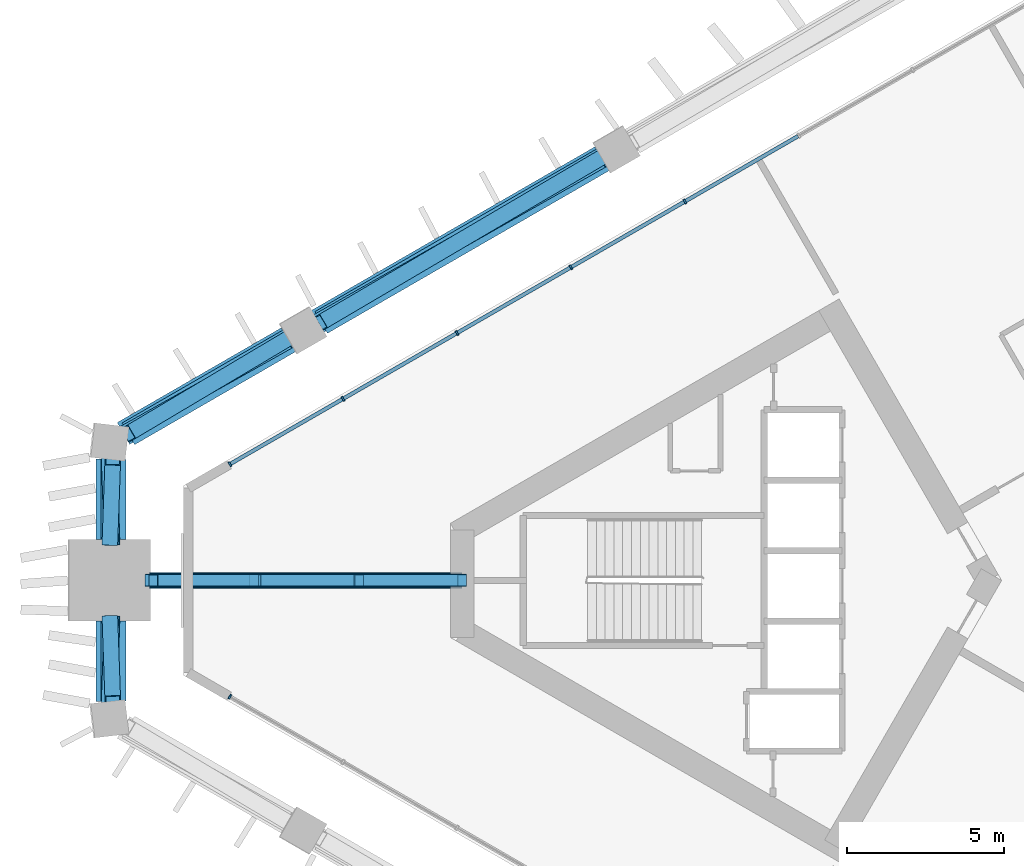
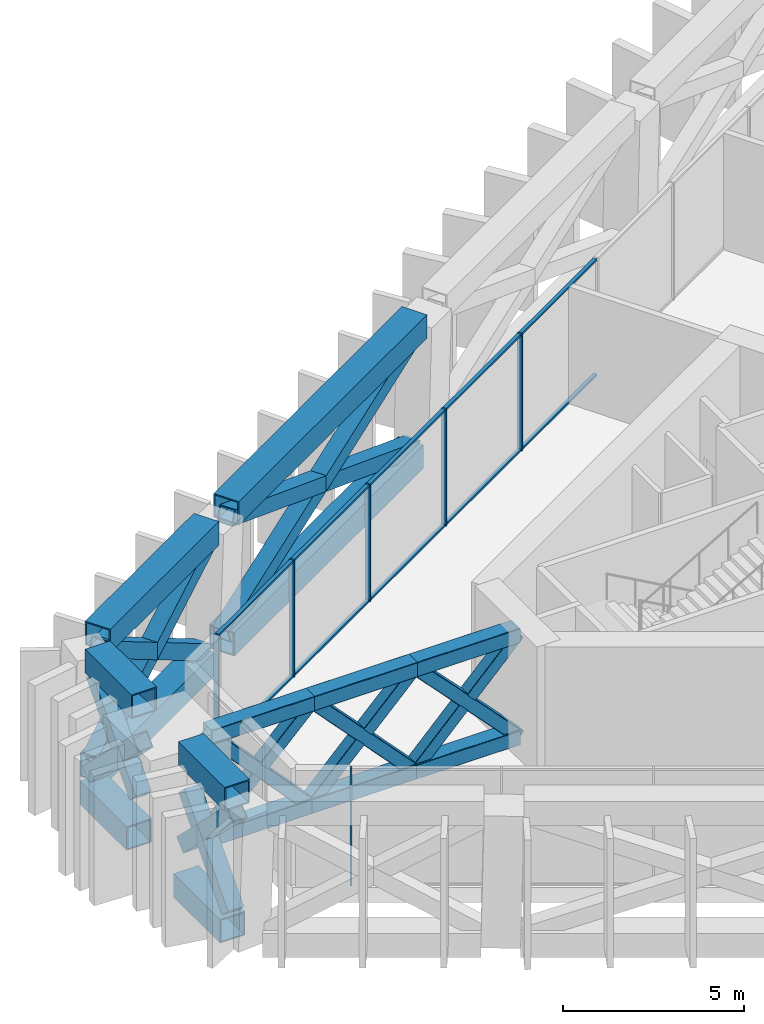
# One storey, part 6 of 17: 44 members, 2 elements without a shape of their own.
"""IFC4 building model written with IfcOpenShell, lengths in metres."""

from ifc_helpers import new_model, si_unit, direction, frame, origin, origin_2d, place, context, subcontext, project, spatial, rectangle, hollow_rectangle, extrude, material, layer, layer_set, material_profile, profile_set, type_object, element, aggregate, save


model = new_model("IFC4")

# Units and contexts
model_context = context("Model", 3, precision=1e-05, world=origin(), true_north=direction((0.0, 1.0)))
body_context = subcontext(model_context, "Body", "Model", "MODEL_VIEW")
ifc_project = project(units=[si_unit("LENGTHUNIT", "METRE"), si_unit("AREAUNIT", "SQUARE_METRE"), si_unit("VOLUMEUNIT", "CUBIC_METRE"), si_unit("PLANEANGLEUNIT", "RADIAN"), si_unit("MASSUNIT", "GRAM", prefix="KILO")], contexts=[model_context])

# Site, building, storey
site_placement = place(None, origin())
site = spatial("IfcSite", under=ifc_project, at=site_placement, CompositionType="ELEMENT")
building_placement = place(site_placement, origin())
building = spatial("IfcBuilding", under=site, at=building_placement, Name="Jabali Bay Hotel Tower and Convention Centre", CompositionType="ELEMENT")
storey_placement = place(building_placement, frame((0.0, 0.0, 102.39990234375)))
storey = spatial("IfcBuildingStorey", under=building, at=storey_placement, Name="L24", CompositionType="ELEMENT", Elevation=102.39990234375)

# Members
ifc_material_1 = material(Name="Steel Q420GJC", Category="steel")
ifc_material_profile_1 = material_profile(ifc_material_1, hollow_rectangle(XDim=0.5, YDim=0.5, WallThickness=0.030029296875, at=origin_2d()), Name="Belt brace 500x500x30")
ifc_profile_set_1 = profile_set([ifc_material_profile_1], Name="Steel Q420GJC")
member_type_1 = type_object("IfcMemberType", Name="Belt brace 500x500x30", PredefinedType="BRACE", material=ifc_profile_set_1)
member_1_placement = place(storey_placement, frame((53.213623046875, 93.49951171875, 0.2109375), z_axis=(-0.804973512946, -0.473096347953, 0.358046769304), x_axis=(0.506687905316, -0.862129553261, 0.0)))
element("IfcMember", 1, at=member_1_placement, inside=storey, type_object=member_type_1, Name="Belt brace T2 F1.4-F1.5 x1", PredefinedType="BRACE", context=body_context, shape_type="SweptSolid", body=[
    extrude(hollow_rectangle(XDim=0.5, YDim=0.5, WallThickness=0.030029296875, at=origin_2d()), origin(), (0.0, 0.0, 1.0), 11.111083984375),
])
member_2_placement = place(storey_placement, frame((44.14794921875, 88.265380859375, 0.20849609375), z_axis=(0.813418064786, 0.461379828014, 0.354231147955), x_axis=(-0.493371043648, 0.869818954317, 0.0)))
element("IfcMember", 2, at=member_2_placement, inside=storey, type_object=member_type_1, Name="Belt brace T2 F1.4-F1.5 x2", PredefinedType="BRACE", context=body_context, shape_type="SweptSolid", body=[
    extrude(hollow_rectangle(XDim=0.5, YDim=0.5, WallThickness=0.030029296875, at=origin_2d()), origin(), (0.0, 0.0, 1.0), 11.244384765625),
])
member_3_placement = place(storey_placement, frame((43.19677734375, 87.713134765625, 0.3447265625), z_axis=(-0.72838376533, -0.432921176842, 0.531070941632), x_axis=(0.51092552571, -0.859624980545, 0.0)))
element("IfcMember", 3, at=member_3_placement, inside=storey, type_object=member_type_1, Name="Belt brace T2 F1.5-V3 x1", PredefinedType="BRACE", context=body_context, shape_type="SweptSolid", body=[
    extrude(hollow_rectangle(XDim=0.5, YDim=0.5, WallThickness=0.030029296875, at=origin_2d()), origin(), (0.0, 0.0, 1.0), 6.9873046875),
])
member_4_placement = place(storey_placement, frame((37.959228515625, 84.689453125, 0.334228515625), z_axis=(0.745312525958, 0.418210688563, 0.519238922483), x_axis=(-0.489347573475, 0.872088844289, 0.0)))
element("IfcMember", 4, at=member_4_placement, inside=storey, type_object=member_type_1, Name="Belt brace T2 F1.5-V3 x2", PredefinedType="BRACE", context=body_context, shape_type="SweptSolid", body=[
    extrude(hollow_rectangle(XDim=0.5, YDim=0.5, WallThickness=0.030029296875, at=origin_2d()), origin(), (0.0, 0.0, 1.0), 7.186767578125),
])
member_5_placement = place(storey_placement, frame((37.498779296875, 83.87060546875, 0.547119140625), z_axis=(0.024889166541, -0.708466762182, 0.705305165352), x_axis=(0.999383476014, 0.035109370122, 0.0)))
element("IfcMember", 5, at=member_5_placement, inside=storey, type_object=member_type_1, Name="Belt brace T2 V3-M0 x1", PredefinedType="BRACE", context=body_context, shape_type="SweptSolid", body=[
    extrude(hollow_rectangle(XDim=0.5, YDim=0.5, WallThickness=0.030029296875, at=origin_2d()), origin(), (0.0, 0.0, 1.0), 3.62939453125),
])
for number, where, z_axis, x_axis, name in (
    (6, (37.525146484375, 81.29931640625, 1.297119140625), (0.024912023147, 0.707460950016, 0.706313241632), (-0.999380588307, 0.035191472191, 0.0), "Belt brace T2 V3-M0 x2"),
    (7, (37.525146484375, 78.70068359375, 1.297119140625), (0.024912023147, -0.707460950016, 0.706313241632), (0.999380588307, 0.035191472191, 0.0), "Belt brace T2 M0-V4 x1"),
):
    element("IfcMember", number, at=place(storey_placement, frame(where, z_axis=z_axis, x_axis=x_axis)), inside=storey, type_object=member_type_1, Name=name, PredefinedType="BRACE", context=body_context, shape_type="SweptSolid", body=[
        extrude(hollow_rectangle(XDim=0.5, YDim=0.5, WallThickness=0.030029296875, at=origin_2d()), origin(), (0.0, 0.0, 1.0), 3.6162109375),
    ])
member_6_placement = place(storey_placement, frame((37.498779296875, 76.12939453125, 0.547119140625), z_axis=(0.024889166541, 0.708466762182, 0.705305165352), x_axis=(-0.999383476014, 0.035109370122, 0.0)))
element("IfcMember", 8, at=member_6_placement, inside=storey, type_object=member_type_1, Name="Belt brace T2 M0-V4 x2", PredefinedType="BRACE", context=body_context, shape_type="SweptSolid", body=[
    extrude(hollow_rectangle(XDim=0.5, YDim=0.5, WallThickness=0.030029296875, at=origin_2d()), origin(), (0.0, 0.0, 1.0), 3.62939453125),
])
ifc_material_profile_2 = material_profile(ifc_material_1, hollow_rectangle(XDim=0.800048828125, YDim=0.800048828125, WallThickness=0.0400390625, at=origin_2d()), Name="Belt chord 800x800x40")
ifc_profile_set_2 = profile_set([ifc_material_profile_2], Name="Steel Q420GJC")
member_type_2 = type_object("IfcMemberType", Name="Belt chord 800x800x40", PredefinedType="CHORD", material=ifc_profile_set_2)
member_7_placement = place(storey_placement, frame((53.21142578125, 93.503173828125, 0.0), z_axis=(-0.866017023461, -0.500014514865, 0.0), x_axis=(0.500014514865, -0.866017023461, 0.0)))
element("IfcMember", 9, at=member_7_placement, inside=storey, type_object=member_type_2, Name="Belt chord T2 F1.4-F1.5", PredefinedType="CHORD", context=body_context, shape_type="SweptSolid", body=[
    extrude(hollow_rectangle(XDim=0.800048828125, YDim=0.800048828125, WallThickness=0.0400390625, at=origin_2d()), origin(), (0.0, 0.0, 1.0), 10.468017578125),
])
member_8_placement = place(storey_placement, frame((43.193359375, 87.71923828125, 0.0), z_axis=(-0.866023574055, -0.500003169172, 0.0), x_axis=(0.500003169172, -0.866023574055, 0.0)))
element("IfcMember", 10, at=member_8_placement, inside=storey, type_object=member_type_2, Name="Belt chord T2 F1.5-V3", PredefinedType="CHORD", context=body_context, shape_type="SweptSolid", body=[
    extrude(hollow_rectangle(XDim=0.800048828125, YDim=0.800048828125, WallThickness=0.0400390625, at=origin_2d()), origin(), (0.0, 0.0, 1.0), 6.0478515625),
])
for number, where, z_axis, x_axis, name in (
    (11, (37.4794921875, 83.870361328125, 0.0), (0.0, -1.0, 0.0), (1.0, 0.0, 0.0), "Belt chord T2 V3-M0"),
    (12, (37.4794921875, 78.699951171875, 0.0), (0.0, -1.0, 0.0), (1.0, 0.0, 0.0), "Belt chord T2 M0-V4"),
):
    element("IfcMember", number, at=place(storey_placement, frame(where, z_axis=z_axis, x_axis=x_axis)), inside=storey, type_object=member_type_2, Name=name, PredefinedType="CHORD", context=body_context, shape_type="SweptSolid", body=[
        extrude(hollow_rectangle(XDim=0.800048828125, YDim=0.800048828125, WallThickness=0.0400390625, at=origin_2d()), origin(), (0.0, 0.0, 1.0), 2.5703125),
    ])
member_9_placement = place(storey_placement, frame((53.29638671875, 93.44970703125, 4.400146484375), z_axis=(-0.866018607488, -0.500011771347, 0.0), x_axis=(0.500011771347, -0.866018607488, 0.0)))
element("IfcMember", 13, at=member_9_placement, inside=storey, type_object=member_type_2, Name="Belt chord T2 F1.4-F1.5", PredefinedType="CHORD", context=body_context, shape_type="SweptSolid", body=[
    extrude(hollow_rectangle(XDim=0.800048828125, YDim=0.800048828125, WallThickness=0.0400390625, at=origin_2d()), origin(), (0.0, 0.0, 1.0), 10.421142578125),
])
member_10_placement = place(storey_placement, frame((43.31884765625, 87.689208984375, 4.400146484375), z_axis=(-0.866008456234, -0.50002935287, 0.0), x_axis=(0.50002935287, -0.866008456234, 0.0)))
element("IfcMember", 14, at=member_10_placement, inside=storey, type_object=member_type_2, Name="Belt chord T2 F1.5-V3", PredefinedType="CHORD", context=body_context, shape_type="SweptSolid", body=[
    extrude(hollow_rectangle(XDim=0.800048828125, YDim=0.800048828125, WallThickness=0.0400390625, at=origin_2d()), origin(), (0.0, 0.0, 1.0), 6.013916015625),
])
for number, where, z_axis, x_axis, name in (
    (15, (37.634521484375, 83.857177734375, 4.400146484375), (0.0, -1.0, 0.0), (1.0, 0.0, 0.0), "Belt chord T2 V3-M0"),
    (16, (37.634521484375, 78.699951171875, 4.400146484375), (0.0, -1.0, 0.0), (1.0, 0.0, 0.0), "Belt chord T2 M0-V4"),
):
    element("IfcMember", number, at=place(storey_placement, frame(where, z_axis=z_axis, x_axis=x_axis)), inside=storey, type_object=member_type_2, Name=name, PredefinedType="CHORD", context=body_context, shape_type="SweptSolid", body=[
        extrude(hollow_rectangle(XDim=0.800048828125, YDim=0.800048828125, WallThickness=0.0400390625, at=origin_2d()), origin(), (0.0, 0.0, 1.0), 2.55712890625),
    ])

# Curtain wall, members
ifc_material_2 = material(Name="Aluminium and glass", Category="aluminium")
ifc_layer = layer(ifc_material_2, 0.159912109375)
ifc_layer_set = layer_set([ifc_layer], Name="Aluminium and glass")
curtain_wall_type = type_object("IfcCurtainWallType", Name="CW3 curtain wall", PredefinedType="NOTDEFINED", material=ifc_layer_set)
curtain_wall_1_placement = place(storey_placement, origin())
curtain_wall_1 = element("IfcCurtainWall", 17, at=curtain_wall_1_placement, inside=storey, type_object=curtain_wall_type, Name="CW3 curtain wall north-west face L24", PredefinedType="NOTDEFINED")
ifc_material_3 = material(Name="Aluminium", Category="aluminium")
ifc_material_profile_3 = material_profile(ifc_material_3, rectangle(XDim=0.159912109375, YDim=0.06005859375, at=origin_2d()), Name="CW3 mullion 60 x 160")
ifc_profile_set_3 = profile_set([ifc_material_profile_3], Name="Aluminium")
member_type_3 = type_object("IfcMemberType", Name="CW3 mullion 60 x 160", PredefinedType="MULLION", material=ifc_profile_set_3)
member_11_placement = place(storey_placement, frame((41.3544921875, 83.713134765625, 0.0), z_axis=(0.0, 0.0, 1.0), x_axis=(-0.499999994256, 0.866025407101, 0.0)))
member_11 = element("IfcMember", 18, at=member_11_placement, type_object=member_type_3, Name="CW3 mullion 1", PredefinedType="MULLION", context=body_context, shape_type="SweptSolid", body=[
    extrude(rectangle(XDim=0.159912109375, YDim=0.06005859375, at=origin_2d()), origin(), (0.0, 0.0, 1.0), 3.9501953125),
])
member_12_placement = place(storey_placement, frame((44.967529296875, 85.798828125, 0.0), z_axis=(0.0, 0.0, 1.0), x_axis=(-0.499999994256, 0.866025407101, 0.0)))
member_12 = element("IfcMember", 19, at=member_12_placement, type_object=member_type_3, Name="CW3 mullion 2", PredefinedType="MULLION", context=body_context, shape_type="SweptSolid", body=[
    extrude(rectangle(XDim=0.159912109375, YDim=0.06005859375, at=origin_2d()), origin(), (0.0, 0.0, 1.0), 3.9501953125),
])
member_13_placement = place(storey_placement, frame((48.606201171875, 87.89990234375, 0.0), z_axis=(0.0, 0.0, 1.0), x_axis=(-0.499999994256, 0.866025407101, 0.0)))
member_13 = element("IfcMember", 20, at=member_13_placement, type_object=member_type_3, Name="CW3 mullion 3", PredefinedType="MULLION", context=body_context, shape_type="SweptSolid", body=[
    extrude(rectangle(XDim=0.159912109375, YDim=0.06005859375, at=origin_2d()), origin(), (0.0, 0.0, 1.0), 3.9501953125),
])
member_14_placement = place(storey_placement, frame((52.2451171875, 90.000732421875, 0.0), z_axis=(0.0, 0.0, 1.0), x_axis=(-0.499999994256, 0.866025407101, 0.0)))
member_14 = element("IfcMember", 21, at=member_14_placement, type_object=member_type_3, Name="CW3 mullion 4", PredefinedType="MULLION", context=body_context, shape_type="SweptSolid", body=[
    extrude(rectangle(XDim=0.159912109375, YDim=0.06005859375, at=origin_2d()), origin(), (0.0, 0.0, 1.0), 3.9501953125),
])
member_15_placement = place(storey_placement, frame((55.8837890625, 92.1015625, 0.0), z_axis=(0.0, 0.0, 1.0), x_axis=(-0.499999994256, 0.866025407101, 0.0)))
member_15 = element("IfcMember", 22, at=member_15_placement, type_object=member_type_3, Name="CW3 mullion 5", PredefinedType="MULLION", context=body_context, shape_type="SweptSolid", body=[
    extrude(rectangle(XDim=0.159912109375, YDim=0.06005859375, at=origin_2d()), origin(), (0.0, 0.0, 1.0), 3.9501953125),
])

# Curtain wall, member
curtain_wall_2_placement = place(storey_placement, origin())
curtain_wall_2 = element("IfcCurtainWall", 23, at=curtain_wall_2_placement, inside=storey, type_object=curtain_wall_type, Name="CW3 curtain wall south-west face L24", PredefinedType="NOTDEFINED")
member_16_placement = place(storey_placement, frame((41.3544921875, 76.286865234375, 0.0), z_axis=(0.0, 0.0, 1.0), x_axis=(-0.499999994256, -0.866025407101, 0.0)))
member_16 = element("IfcMember", 24, at=member_16_placement, type_object=member_type_3, Name="CW3 mullion 14", PredefinedType="MULLION", context=body_context, shape_type="SweptSolid", body=[
    extrude(rectangle(XDim=0.159912109375, YDim=0.06005859375, at=origin_2d()), origin(), (0.0, 0.0, 1.0), 3.9501953125),
])
aggregate(curtain_wall_2, [member_16])

# Member
ifc_material_profile_4 = material_profile(ifc_material_3, rectangle(XDim=0.1201171875, YDim=0.06005859375, at=origin_2d()), Name="CW3 transom 60 x 120")
ifc_profile_set_4 = profile_set([ifc_material_profile_4], Name="Aluminium")
member_type_4 = type_object("IfcMemberType", Name="CW3 transom 60 x 120", PredefinedType="USERDEFINED", material=ifc_profile_set_4)
member_17_placement = place(storey_placement, frame((41.380615234375, 83.72802734375, 0.030029296875), z_axis=(0.866016499285, 0.500015422728, 0.0), x_axis=(-0.500015422728, 0.866016499285, 0.0)))
member_17 = element("IfcMember", 25, at=member_17_placement, type_object=member_type_4, Name="CW3 transom 1.1", ObjectType="TRANSOM", PredefinedType="USERDEFINED", context=body_context, shape_type="SweptSolid", body=[
    extrude(rectangle(XDim=0.1201171875, YDim=0.06005859375, at=origin_2d()), origin(), (0.0, 0.0, 1.0), 4.111572265625),
])

member_18_placement = place(storey_placement, frame((41.380615234375, 83.72802734375, 3.920166015625), z_axis=(0.866016499285, 0.500015422728, 0.0), x_axis=(-0.500015422728, 0.866016499285, 0.0)))
member_18 = element("IfcMember", 26, at=member_18_placement, type_object=member_type_4, Name="CW3 transom 1.2", ObjectType="TRANSOM", PredefinedType="USERDEFINED", context=body_context, shape_type="SweptSolid", body=[
    extrude(rectangle(XDim=0.1201171875, YDim=0.06005859375, at=origin_2d()), origin(), (0.0, 0.0, 1.0), 4.111572265625),
])

member_19_placement = place(storey_placement, frame((44.993408203125, 85.81396484375, 0.030029296875), z_axis=(0.86603638303, 0.499980982906, 0.0), x_axis=(-0.499980982906, 0.86603638303, 0.0)))
member_19 = element("IfcMember", 27, at=member_19_placement, type_object=member_type_4, Name="CW3 transom 2.1", ObjectType="TRANSOM", PredefinedType="USERDEFINED", context=body_context, shape_type="SweptSolid", body=[
    extrude(rectangle(XDim=0.1201171875, YDim=0.06005859375, at=origin_2d()), origin(), (0.0, 0.0, 1.0), 4.141845703125),
])

member_20_placement = place(storey_placement, frame((44.993408203125, 85.81396484375, 3.920166015625), z_axis=(0.86603638303, 0.499980982906, 0.0), x_axis=(-0.499980982906, 0.86603638303, 0.0)))
member_20 = element("IfcMember", 28, at=member_20_placement, type_object=member_type_4, Name="CW3 transom 2.2", ObjectType="TRANSOM", PredefinedType="USERDEFINED", context=body_context, shape_type="SweptSolid", body=[
    extrude(rectangle(XDim=0.1201171875, YDim=0.06005859375, at=origin_2d()), origin(), (0.0, 0.0, 1.0), 4.141845703125),
])

member_21_placement = place(storey_placement, frame((48.632080078125, 87.914794921875, 0.030029296875), z_axis=(0.86603638303, 0.499980982906, 0.0), x_axis=(-0.499980982906, 0.86603638303, 0.0)))
member_21 = element("IfcMember", 29, at=member_21_placement, type_object=member_type_4, Name="CW3 transom 3.1", ObjectType="TRANSOM", PredefinedType="USERDEFINED", context=body_context, shape_type="SweptSolid", body=[
    extrude(rectangle(XDim=0.1201171875, YDim=0.06005859375, at=origin_2d()), origin(), (0.0, 0.0, 1.0), 4.141845703125),
])

member_22_placement = place(storey_placement, frame((48.632080078125, 87.914794921875, 3.920166015625), z_axis=(0.86603638303, 0.499980982906, 0.0), x_axis=(-0.499980982906, 0.86603638303, 0.0)))
member_22 = element("IfcMember", 30, at=member_22_placement, type_object=member_type_4, Name="CW3 transom 3.2", ObjectType="TRANSOM", PredefinedType="USERDEFINED", context=body_context, shape_type="SweptSolid", body=[
    extrude(rectangle(XDim=0.1201171875, YDim=0.06005859375, at=origin_2d()), origin(), (0.0, 0.0, 1.0), 4.141845703125),
])

member_23_placement = place(storey_placement, frame((52.27099609375, 90.015625, 0.030029296875), z_axis=(0.86603638303, 0.499980982906, 0.0), x_axis=(-0.499980982906, 0.86603638303, 0.0)))
member_23 = element("IfcMember", 31, at=member_23_placement, type_object=member_type_4, Name="CW3 transom 4.1", ObjectType="TRANSOM", PredefinedType="USERDEFINED", context=body_context, shape_type="SweptSolid", body=[
    extrude(rectangle(XDim=0.1201171875, YDim=0.06005859375, at=origin_2d()), origin(), (0.0, 0.0, 1.0), 4.141845703125),
])

member_24_placement = place(storey_placement, frame((52.27099609375, 90.015625, 3.920166015625), z_axis=(0.86603638303, 0.499980982906, 0.0), x_axis=(-0.499980982906, 0.86603638303, 0.0)))
member_24 = element("IfcMember", 32, at=member_24_placement, type_object=member_type_4, Name="CW3 transom 4.2", ObjectType="TRANSOM", PredefinedType="USERDEFINED", context=body_context, shape_type="SweptSolid", body=[
    extrude(rectangle(XDim=0.1201171875, YDim=0.06005859375, at=origin_2d()), origin(), (0.0, 0.0, 1.0), 4.141845703125),
])

member_25_placement = place(storey_placement, frame((55.909912109375, 92.116455078125, 0.030029296875), z_axis=(0.865996120174, 0.500050717271, 0.0), x_axis=(-0.500050717271, 0.865996120174, 0.0)))
member_25 = element("IfcMember", 33, at=member_25_placement, type_object=member_type_4, Name="CW3 transom 5.1", ObjectType="TRANSOM", PredefinedType="USERDEFINED", context=body_context, shape_type="SweptSolid", body=[
    extrude(rectangle(XDim=0.1201171875, YDim=0.06005859375, at=origin_2d()), origin(), (0.0, 0.0, 1.0), 4.1416015625),
])

member_26_placement = place(storey_placement, frame((55.909912109375, 92.116455078125, 3.920166015625), z_axis=(0.865996120174, 0.500050717271, 0.0), x_axis=(-0.500050717271, 0.865996120174, 0.0)))
member_26 = element("IfcMember", 34, at=member_26_placement, type_object=member_type_4, Name="CW3 transom 5.2", ObjectType="TRANSOM", PredefinedType="USERDEFINED", context=body_context, shape_type="SweptSolid", body=[
    extrude(rectangle(XDim=0.1201171875, YDim=0.06005859375, at=origin_2d()), origin(), (0.0, 0.0, 1.0), 4.1416015625),
])

aggregate(curtain_wall_1, [member_11, member_12, member_13, member_14, member_15, member_17, member_18, member_19, member_20, member_21, member_22, member_23, member_24, member_25, member_26])

# Members
ifc_material_profile_5 = material_profile(ifc_material_1, hollow_rectangle(XDim=0.39990234375, YDim=0.39990234375, WallThickness=0.011962890625, InnerFilletRadius=0.01806640625, OuterFilletRadius=0.030029296875, at=origin_2d()), Name="Outrigger brace 400x400x12")
ifc_profile_set_5 = profile_set([ifc_material_profile_5], Name="Steel Q420GJC")
member_type_5 = type_object("IfcMemberType", Name="Outrigger brace 400x400x12", PredefinedType="BRACE", material=ifc_profile_set_5)
member_27_placement = place(storey_placement, frame((48.77197265625, 80.0, 0.25), z_axis=(-0.689815059709, 0.0, 0.723985623751), x_axis=(0.0, -1.0, 0.0)))
element("IfcMember", 35, at=member_27_placement, inside=storey, type_object=member_type_5, Name="Outrigger brace T2 1.1x1", PredefinedType="BRACE", context=body_context, shape_type="SweptSolid", body=[
    extrude(hollow_rectangle(XDim=0.39990234375, YDim=0.39990234375, WallThickness=0.011962890625, InnerFilletRadius=0.01806640625, OuterFilletRadius=0.030029296875, at=origin_2d()), origin(), (0.0, 0.0, 1.0), 4.765625),
])
member_28_placement = place(storey_placement, frame((45.444091796875, 80.0, 0.25), z_axis=(0.69423358768, 0.0, 0.719749766055), x_axis=(0.0, 1.0, 0.0)))
element("IfcMember", 36, at=member_28_placement, inside=storey, type_object=member_type_5, Name="Outrigger brace T2 1.1x2", PredefinedType="BRACE", context=body_context, shape_type="SweptSolid", body=[
    extrude(hollow_rectangle(XDim=0.39990234375, YDim=0.39990234375, WallThickness=0.011962890625, InnerFilletRadius=0.01806640625, OuterFilletRadius=0.030029296875, at=origin_2d()), origin(), (0.0, 0.0, 1.0), 4.793701171875),
])
member_29_placement = place(storey_placement, frame((45.444091796875, 80.0, 0.25), z_axis=(-0.685318082823, 0.0, 0.728243863933), x_axis=(0.0, -1.0, 0.0)))
element("IfcMember", 37, at=member_29_placement, inside=storey, type_object=member_type_5, Name="Outrigger brace T2 1.2x1", PredefinedType="BRACE", context=body_context, shape_type="SweptSolid", body=[
    extrude(hollow_rectangle(XDim=0.39990234375, YDim=0.39990234375, WallThickness=0.011962890625, InnerFilletRadius=0.01806640625, OuterFilletRadius=0.030029296875, at=origin_2d()), origin(), (0.0, 0.0, 1.0), 4.73779296875),
])
member_30_placement = place(storey_placement, frame((42.1162109375, 80.0, 0.25), z_axis=(0.698574995698, 0.0, 0.715536844184), x_axis=(0.0, 1.0, 0.0)))
element("IfcMember", 38, at=member_30_placement, inside=storey, type_object=member_type_5, Name="Outrigger brace T2 1.2x2", PredefinedType="BRACE", context=body_context, shape_type="SweptSolid", body=[
    extrude(hollow_rectangle(XDim=0.39990234375, YDim=0.39990234375, WallThickness=0.011962890625, InnerFilletRadius=0.01806640625, OuterFilletRadius=0.030029296875, at=origin_2d()), origin(), (0.0, 0.0, 1.0), 4.82177734375),
])
member_31_placement = place(storey_placement, frame((42.1162109375, 80.0, 0.25), z_axis=(-0.680741318684, 0.0, 0.732523895198), x_axis=(0.0, -1.0, 0.0)))
element("IfcMember", 39, at=member_31_placement, inside=storey, type_object=member_type_5, Name="Outrigger brace T2 1.3x1", PredefinedType="BRACE", context=body_context, shape_type="SweptSolid", body=[
    extrude(hollow_rectangle(XDim=0.39990234375, YDim=0.39990234375, WallThickness=0.011962890625, InnerFilletRadius=0.01806640625, OuterFilletRadius=0.030029296875, at=origin_2d()), origin(), (0.0, 0.0, 1.0), 4.7099609375),
])
member_32_placement = place(storey_placement, frame((38.788330078125, 80.0, 0.25), z_axis=(0.702840602438, 0.0, 0.711347374751), x_axis=(0.0, 1.0, 0.0)))
element("IfcMember", 40, at=member_32_placement, inside=storey, type_object=member_type_5, Name="Outrigger brace T2 1.3x2", PredefinedType="BRACE", context=body_context, shape_type="SweptSolid", body=[
    extrude(hollow_rectangle(XDim=0.39990234375, YDim=0.39990234375, WallThickness=0.011962890625, InnerFilletRadius=0.01806640625, OuterFilletRadius=0.030029296875, at=origin_2d()), origin(), (0.0, 0.0, 1.0), 4.850341796875),
])
ifc_material_profile_6 = material_profile(ifc_material_1, hollow_rectangle(XDim=0.5, YDim=0.5, WallThickness=0.01611328125, InnerFilletRadius=0.02392578125, OuterFilletRadius=0.0400390625, at=origin_2d()), Name="Outrigger chord 500x500x16")
ifc_profile_set_6 = profile_set([ifc_material_profile_6], Name="Steel Q420GJC")
member_type_6 = type_object("IfcMemberType", Name="Outrigger chord 500x500x16", PredefinedType="CHORD", material=ifc_profile_set_6)
for number, where, z_axis, x_axis, name in (
    (41, (48.77197265625, 80.0, 0.25), (-1.0, 0.0, 0.0), (0.0, -1.0, 0.0), "Outrigger chord T2 1.lo1"),
    (42, (45.444091796875, 80.0, 0.25), (-1.0, 0.0, 0.0), (0.0, -1.0, 0.0), "Outrigger chord T2 1.lo2"),
    (43, (42.1162109375, 80.0, 0.25), (-1.0, 0.0, 0.0), (0.0, -1.0, 0.0), "Outrigger chord T2 1.lo3"),
):
    element("IfcMember", number, at=place(storey_placement, frame(where, z_axis=z_axis, x_axis=x_axis)), inside=storey, type_object=member_type_6, Name=name, PredefinedType="CHORD", context=body_context, shape_type="SweptSolid", body=[
        extrude(hollow_rectangle(XDim=0.5, YDim=0.5, WallThickness=0.01611328125, InnerFilletRadius=0.02392578125, OuterFilletRadius=0.0400390625, at=origin_2d()), origin(), (0.0, 0.0, 1.0), 3.327880859375),
    ])
for number, where, z_axis, x_axis, name in (
    (44, (48.77197265625, 80.0, 3.7001953125), (-1.0, 0.0, 0.0), (0.0, -1.0, 0.0), "Outrigger chord T2 1.hi1"),
    (45, (45.484619140625, 80.0, 3.7001953125), (-1.0, 0.0, 0.0), (0.0, -1.0, 0.0), "Outrigger chord T2 1.hi2"),
    (46, (42.197265625, 80.0, 3.7001953125), (-1.0, 0.0, 0.0), (0.0, -1.0, 0.0), "Outrigger chord T2 1.hi3"),
):
    element("IfcMember", number, at=place(storey_placement, frame(where, z_axis=z_axis, x_axis=x_axis)), inside=storey, type_object=member_type_6, Name=name, PredefinedType="CHORD", context=body_context, shape_type="SweptSolid", body=[
        extrude(hollow_rectangle(XDim=0.5, YDim=0.5, WallThickness=0.01611328125, InnerFilletRadius=0.02392578125, OuterFilletRadius=0.0400390625, at=origin_2d()), origin(), (0.0, 0.0, 1.0), 3.287353515625),
    ])

save(model, "model.ifc")
